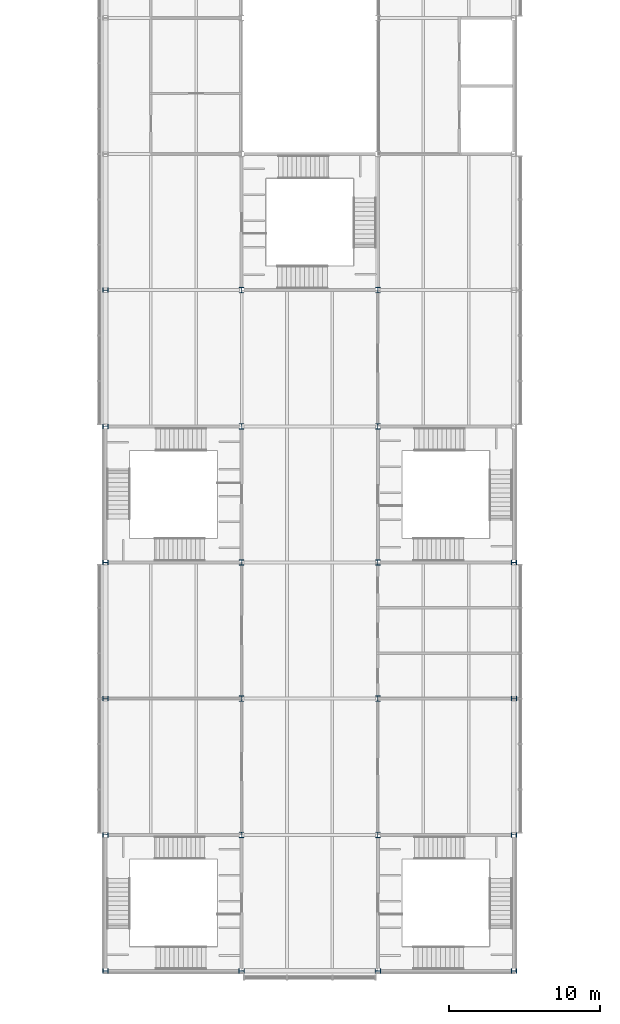
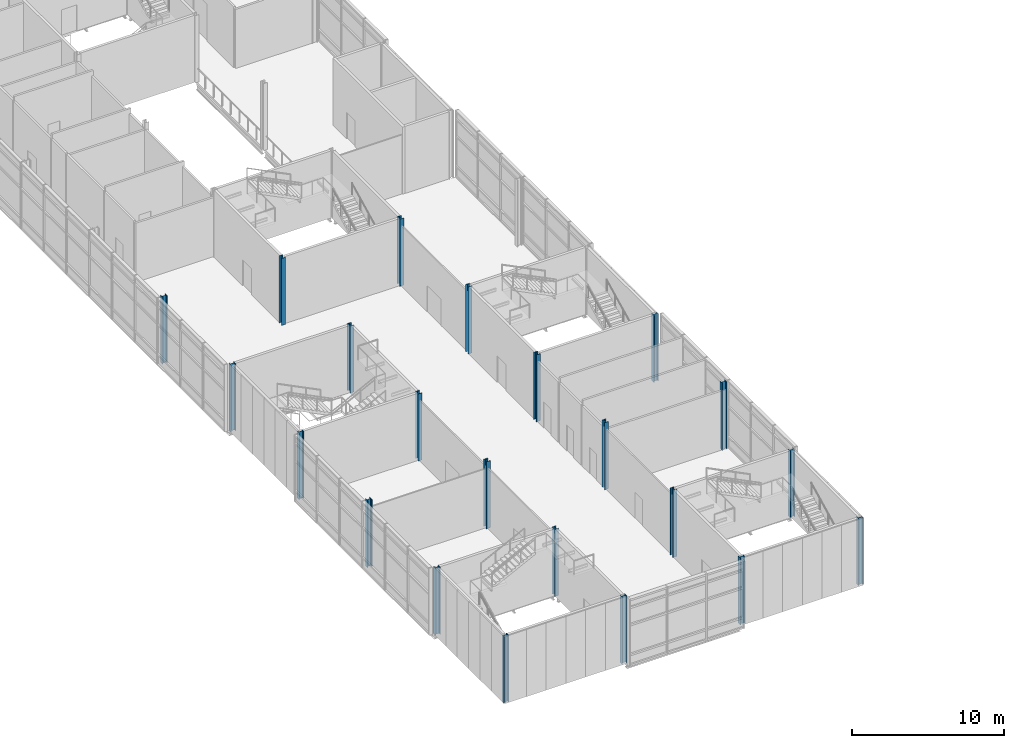
# One storey, part 1 of 52: 22 columns.
"""IFC4 building model written with IfcOpenShell, lengths in metres."""

from ifc_helpers import new_model, si_unit, direction, frame, origin, origin_2d, place, context, subcontext, project, spatial, i_section, extrude, material, material_profile, profile_set, type_object, element, save


model = new_model("IFC4")

# Units and contexts
model_context = context("Model", 3, precision=1e-05, world=origin(), true_north=direction((0.0, 1.0)))
body_context = subcontext(model_context, "Body", "Model", "MODEL_VIEW")
ifc_project = project(units=[si_unit("LENGTHUNIT", "METRE"), si_unit("AREAUNIT", "SQUARE_METRE"), si_unit("VOLUMEUNIT", "CUBIC_METRE"), si_unit("PLANEANGLEUNIT", "RADIAN"), si_unit("MASSUNIT", "GRAM", prefix="KILO")], contexts=[model_context])

# Site, building, storey
site_placement = place(None, origin())
site = spatial("IfcSite", under=ifc_project, at=site_placement, CompositionType="ELEMENT")
building_placement = place(site_placement, origin())
building = spatial("IfcBuilding", under=site, at=building_placement, Name="Azimuth Sports and Learning Centre", CompositionType="ELEMENT")
storey_placement = place(building_placement, frame((0.0, 0.0, 16.199951171875)))
storey = spatial("IfcBuildingStorey", under=building, at=storey_placement, Name="L03", CompositionType="ELEMENT", Elevation=16.199951171875)

# Columns
ifc_material = material(Name="Steel S355", Category="steel")
ifc_material_profile = material_profile(ifc_material, i_section(OverallWidth=0.300048828125, OverallDepth=0.360107421875, WebThickness=0.012451171875, FlangeThickness=0.0224609375, FilletRadius=0.027099609375, at=origin_2d()), Name="HEB 360")
ifc_profile_set = profile_set([ifc_material_profile], Name="Steel S355")
column_type = type_object("IfcColumnType", Name="Column HEB 360", PredefinedType="COLUMN", material=ifc_profile_set)
for number, where, z_axis, x_axis, name in (
    (1, (72.0, 0.0, 0.0), (0.0, 0.0, 1.0), (0.0, 1.0, 0.0), "Column 9A L03"),
    (2, (81.0, 0.0, 0.0), (0.0, 0.0, 1.0), (0.0, 1.0, 0.0), "Column 10A L03"),
    (3, (90.0, 0.0, 0.0), (0.0, 0.0, 1.0), (0.0, 1.0, 0.0), "Column 11A L03"),
    (4, (99.0, 0.0, 0.0), (0.0, 0.0, 1.0), (0.0, 1.0, 0.0), "Column 12A L03"),
    (5, (72.0, 9.0, 0.0), (0.0, 0.0, 1.0), (0.0, 1.0, 0.0), "Column 9B L03"),
    (6, (81.0, 9.0, 0.0), (0.0, 0.0, 1.0), (1.0, 0.0, 0.0), "Column 10B L03"),
    (7, (90.0, 9.0, 0.0), (0.0, 0.0, 1.0), (1.0, 0.0, 0.0), "Column 11B L03"),
    (8, (99.0, 9.0, 0.0), (0.0, 0.0, 1.0), (0.0, 1.0, 0.0), "Column 12B L03"),
    (9, (72.0, 18.0, 0.0), (0.0, 0.0, 1.0), (0.0, 1.0, 0.0), "Column 9C L03"),
    (10, (81.0, 18.0, 0.0), (0.0, 0.0, 1.0), (1.0, 0.0, 0.0), "Column 10C L03"),
    (11, (90.0, 18.0, 0.0), (0.0, 0.0, 1.0), (1.0, 0.0, 0.0), "Column 11C L03"),
    (12, (99.0, 18.0, 0.0), (0.0, 0.0, 1.0), (0.0, 1.0, 0.0), "Column 12C L03"),
    (13, (72.0, 27.0, 0.0), (0.0, 0.0, 1.0), (0.0, 1.0, 0.0), "Column 9D L03"),
    (14, (81.0, 27.0, 0.0), (0.0, 0.0, 1.0), (1.0, 0.0, 0.0), "Column 10D L03"),
    (15, (90.0, 27.0, 0.0), (0.0, 0.0, 1.0), (1.0, 0.0, 0.0), "Column 11D L03"),
    (16, (99.0, 27.0, 0.0), (0.0, 0.0, 1.0), (0.0, 1.0, 0.0), "Column 12D L03"),
    (17, (72.0, 36.0, 0.0), (0.0, 0.0, 1.0), (0.0, 1.0, 0.0), "Column 9E L03"),
    (18, (81.0, 36.0, 0.0), (0.0, 0.0, 1.0), (1.0, 0.0, 0.0), "Column 10E L03"),
    (19, (90.0, 36.0, 0.0), (0.0, 0.0, 1.0), (1.0, 0.0, 0.0), "Column 11E L03"),
    (20, (72.0, 45.0, 0.0), (0.0, 0.0, 1.0), (0.0, 1.0, 0.0), "Column 9F L03"),
    (21, (81.0, 45.0, 0.0), (0.0, 0.0, 1.0), (1.0, 0.0, 0.0), "Column 10F L03"),
    (22, (90.0, 45.0, 0.0), (0.0, 0.0, 1.0), (1.0, 0.0, 0.0), "Column 11F L03"),
):
    element("IfcColumn", number, at=place(storey_placement, frame(where, z_axis=z_axis, x_axis=x_axis)), inside=storey, type_object=column_type, Name=name, PredefinedType="COLUMN", context=body_context, shape_type="SweptSolid", body=[
        extrude(i_section(OverallWidth=0.300048828125, OverallDepth=0.360107421875, WebThickness=0.012451171875, FlangeThickness=0.0224609375, FilletRadius=0.027099609375, at=origin_2d()), origin(), (0.0, 0.0, 1.0), 5.400146484375),
    ])

save(model, "model.ifc")
